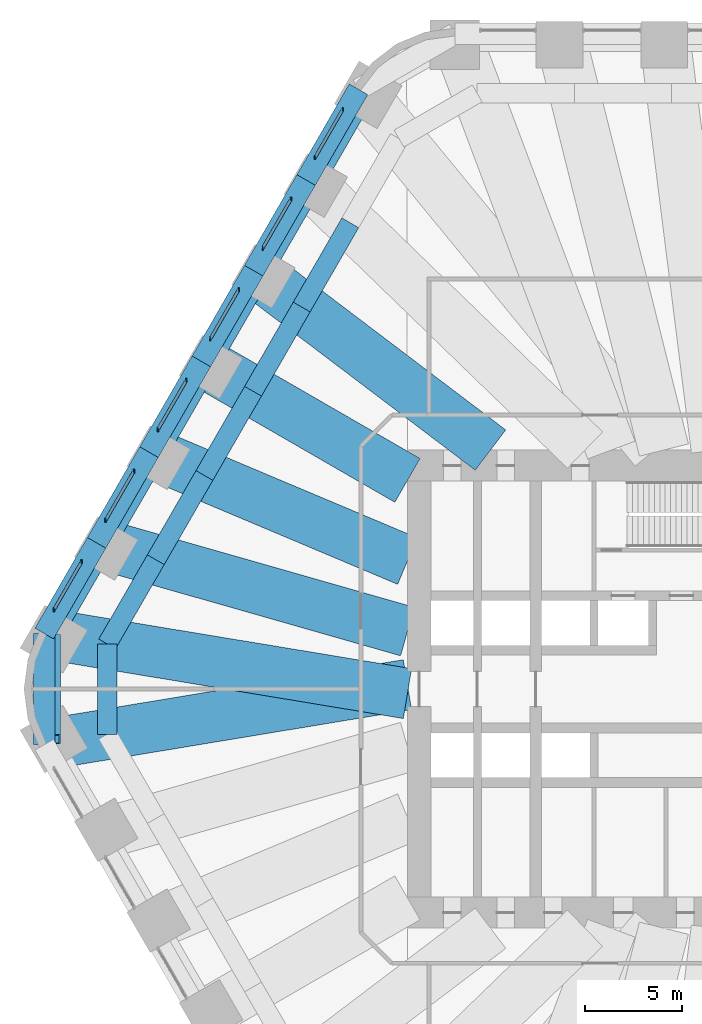
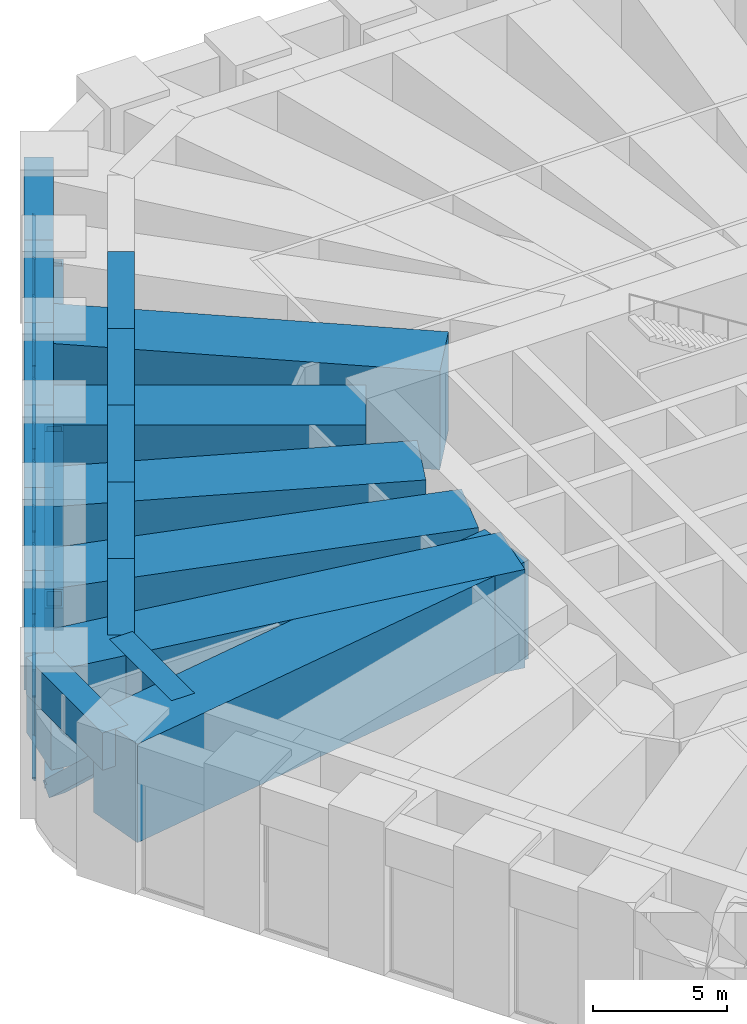
# One storey, part 6 of 17: 31 members, 19 beams, 6 elements without a shape of their own.
"""IFC4 building model written with IfcOpenShell, lengths in metres."""

from ifc_helpers import new_model, si_unit, direction, frame, origin, origin_2d, place, context, subcontext, project, spatial, rectangle, hollow_rectangle, extrude, material, material_profile, profile_set, type_object, element, aggregate, save


model = new_model("IFC4")

# Units and contexts
model_context = context("Model", 3, precision=1e-05, world=origin(), true_north=direction((0.0, 1.0)))
body_context = subcontext(model_context, "Body", "Model", "MODEL_VIEW")
ifc_project = project(units=[si_unit("LENGTHUNIT", "METRE"), si_unit("AREAUNIT", "SQUARE_METRE"), si_unit("VOLUMEUNIT", "CUBIC_METRE"), si_unit("PLANEANGLEUNIT", "RADIAN"), si_unit("MASSUNIT", "GRAM", prefix="KILO")], contexts=[model_context])

# Site, building, storey
site_placement = place(None, origin())
site = spatial("IfcSite", under=ifc_project, at=site_placement, CompositionType="ELEMENT")
building_placement = place(site_placement, origin())
building = spatial("IfcBuilding", under=site, at=building_placement, Name="Tarfa Lantern Tower", CompositionType="ELEMENT")
storey_placement = place(building_placement, frame((0.0, 0.0, 107.5)))
storey = spatial("IfcBuildingStorey", under=building, at=storey_placement, Name="L24", CompositionType="ELEMENT", Elevation=107.5)

# Members
ifc_material_1 = material(Name="Steel S460M", Category="steel")
ifc_material_profile_1 = material_profile(ifc_material_1, hollow_rectangle(XDim=0.699951171875, YDim=0.699951171875, WallThickness=0.080078125, at=origin_2d()), Name="BOX700x700x80")
ifc_profile_set_1 = profile_set([ifc_material_profile_1], Name="Steel S460M")
member_type_1 = type_object("IfcMemberType", Name="BT1 BOX700x700x80", PredefinedType="BRACE", material=ifc_profile_set_1)
for number, where, z_axis, x_axis, name in (
    (1, (-20.625732421875, 30.574951171875, 0.60009765625), (-0.373372204356, -0.64666874901, 0.665141132444), (0.866015065331, -0.500017906299, 0.0), "Belt truss diagonal 15"),
    (2, (-26.014404296875, 21.24169921875, 0.60009765625), (0.373364035688, 0.646688432601, 0.66512658043), (-0.866026392449, 0.499998287579, 0.0), "Belt truss diagonal 16"),
    (3, (-26.014404296875, 21.24169921875, 0.60009765625), (-0.373364035688, -0.646688432601, 0.66512658043), (0.866026392449, -0.499998287579, 0.0), "Belt truss diagonal 17"),
    (4, (-31.403076171875, 11.908447265625, 0.60009765625), (0.373372204356, 0.64666874901, 0.665141132444), (-0.866015065331, 0.500017906299, 0.0), "Belt truss diagonal 18"),
    (5, (-31.403076171875, 11.908447265625, 0.60009765625), (-0.373364035688, -0.646688432601, 0.66512658043), (0.866026392449, -0.499998287579, 0.0), "Belt truss diagonal 19"),
    (6, (-36.791748046875, 2.574951171875, 0.60009765625), (0.373364035688, 0.646688432601, 0.66512658043), (-0.866026392449, 0.499998287579, 0.0), "Belt truss diagonal 20"),
):
    element("IfcMember", number, at=place(storey_placement, frame(where, z_axis=z_axis, x_axis=x_axis)), inside=storey, type_object=member_type_1, Name=name, PredefinedType="BRACE", context=body_context, shape_type="SweptSolid", body=[
        extrude(hollow_rectangle(XDim=0.699951171875, YDim=0.699951171875, WallThickness=0.080078125, at=origin_2d()), origin(), (0.0, 0.0, 1.0), 7.21630859375),
    ])
member_1_placement = place(storey_placement, frame((-36.791748046875, 2.574951171875, 0.60009765625), z_axis=(0.0, -0.731534837931, 0.681804063418), x_axis=(1.0, 0.0, 0.0)))
element("IfcMember", 7, at=member_1_placement, inside=storey, type_object=member_type_1, Name="Belt truss diagonal 21", PredefinedType="BRACE", context=body_context, shape_type="SweptSolid", body=[
    extrude(hollow_rectangle(XDim=0.699951171875, YDim=0.699951171875, WallThickness=0.080078125, at=origin_2d()), origin(), (0.0, 0.0, 1.0), 7.039794921875),
])

# Curtain wall, members
ifc_material_2 = material(Name="Aluminium framed curtain wall", Category="aluminium")
curtain_wall_type = type_object("IfcCurtainWallType", Name="CW6 LOUVRED SCREEN WALL 5000", PredefinedType="USERDEFINED", material=ifc_material_2)
curtain_wall_1_placement = place(storey_placement, origin())
curtain_wall_1 = element("IfcCurtainWall", 8, at=curtain_wall_1_placement, inside=storey, type_object=curtain_wall_type, Name="CW6 NW L24", ObjectType="CURTAIN WALL", PredefinedType="USERDEFINED")
ifc_material_3 = material(Name="Aluminium mullion", Category="aluminium")
ifc_material_profile_2 = material_profile(ifc_material_3, rectangle(XDim=0.06494140625, YDim=0.199951171875, at=origin_2d()), Name="AL MULLION 65x200")
ifc_profile_set_2 = profile_set([ifc_material_profile_2], Name="Aluminium mullion")
member_type_2 = type_object("IfcMemberType", Name="CWM1 MULLION 65x200", PredefinedType="MULLION", material=ifc_profile_set_2)
member_2_placement = place(storey_placement, frame((-21.92919921875, 29.817626953125, 0.0), z_axis=(0.0, 0.0, 1.0), x_axis=(1.0, 0.0, 0.0)))
member_2 = element("IfcMember", 9, at=member_2_placement, type_object=member_type_2, Name="CW6 mullion 1", PredefinedType="MULLION", context=body_context, shape_type="SweptSolid", body=[
    extrude(rectangle(XDim=0.06494140625, YDim=0.199951171875, at=origin_2d()), origin(), (0.0, 0.0, 1.0), 5.0),
])
member_3_placement = place(storey_placement, frame((-23.353515625, 27.350830078125, 0.0), z_axis=(0.0, 0.0, 1.0), x_axis=(1.0, 0.0, 0.0)))
member_3 = element("IfcMember", 10, at=member_3_placement, type_object=member_type_2, Name="CW6 mullion 2", PredefinedType="MULLION", context=body_context, shape_type="SweptSolid", body=[
    extrude(rectangle(XDim=0.06494140625, YDim=0.199951171875, at=origin_2d()), origin(), (0.0, 0.0, 1.0), 5.0),
])

curtain_wall_2_placement = place(storey_placement, origin())
curtain_wall_2 = element("IfcCurtainWall", 11, at=curtain_wall_2_placement, inside=storey, type_object=curtain_wall_type, Name="CW6 NW L24", ObjectType="CURTAIN WALL", PredefinedType="USERDEFINED")
member_4_placement = place(storey_placement, frame((-24.5859375, 25.216064453125, 0.0), z_axis=(0.0, 0.0, 1.0), x_axis=(1.0, 0.0, 0.0)))
member_4 = element("IfcMember", 12, at=member_4_placement, type_object=member_type_2, Name="CW6 mullion 1", PredefinedType="MULLION", context=body_context, shape_type="SweptSolid", body=[
    extrude(rectangle(XDim=0.06494140625, YDim=0.199951171875, at=origin_2d()), origin(), (0.0, 0.0, 1.0), 5.0),
])
member_5_placement = place(storey_placement, frame((-26.047607421875, 22.68408203125, 0.0), z_axis=(0.0, 0.0, 1.0), x_axis=(1.0, 0.0, 0.0)))
member_5 = element("IfcMember", 13, at=member_5_placement, type_object=member_type_2, Name="CW6 mullion 2", PredefinedType="MULLION", context=body_context, shape_type="SweptSolid", body=[
    extrude(rectangle(XDim=0.06494140625, YDim=0.199951171875, at=origin_2d()), origin(), (0.0, 0.0, 1.0), 5.0),
])

curtain_wall_3_placement = place(storey_placement, origin())
curtain_wall_3 = element("IfcCurtainWall", 14, at=curtain_wall_3_placement, inside=storey, type_object=curtain_wall_type, Name="CW6 NW L24", ObjectType="CURTAIN WALL", PredefinedType="USERDEFINED")
member_6_placement = place(storey_placement, frame((-27.2802734375, 20.54931640625, 0.0), z_axis=(0.0, 0.0, 1.0), x_axis=(1.0, 0.0, 0.0)))
member_6 = element("IfcMember", 15, at=member_6_placement, type_object=member_type_2, Name="CW6 mullion 1", PredefinedType="MULLION", context=body_context, shape_type="SweptSolid", body=[
    extrude(rectangle(XDim=0.06494140625, YDim=0.199951171875, at=origin_2d()), origin(), (0.0, 0.0, 1.0), 5.0),
])
member_7_placement = place(storey_placement, frame((-28.741943359375, 18.017333984375, 0.0), z_axis=(0.0, 0.0, 1.0), x_axis=(1.0, 0.0, 0.0)))
member_7 = element("IfcMember", 16, at=member_7_placement, type_object=member_type_2, Name="CW6 mullion 2", PredefinedType="MULLION", context=body_context, shape_type="SweptSolid", body=[
    extrude(rectangle(XDim=0.06494140625, YDim=0.199951171875, at=origin_2d()), origin(), (0.0, 0.0, 1.0), 5.0),
])

curtain_wall_4_placement = place(storey_placement, origin())
curtain_wall_4 = element("IfcCurtainWall", 17, at=curtain_wall_4_placement, inside=storey, type_object=curtain_wall_type, Name="CW6 NW L24", ObjectType="CURTAIN WALL", PredefinedType="USERDEFINED")
member_8_placement = place(storey_placement, frame((-29.974609375, 15.882568359375, 0.0), z_axis=(0.0, 0.0, 1.0), x_axis=(1.0, 0.0, 0.0)))
member_8 = element("IfcMember", 18, at=member_8_placement, type_object=member_type_2, Name="CW6 mullion 1", PredefinedType="MULLION", context=body_context, shape_type="SweptSolid", body=[
    extrude(rectangle(XDim=0.06494140625, YDim=0.199951171875, at=origin_2d()), origin(), (0.0, 0.0, 1.0), 5.0),
])
member_9_placement = place(storey_placement, frame((-31.436279296875, 13.350830078125, 0.0), z_axis=(0.0, 0.0, 1.0), x_axis=(1.0, 0.0, 0.0)))
member_9 = element("IfcMember", 19, at=member_9_placement, type_object=member_type_2, Name="CW6 mullion 2", PredefinedType="MULLION", context=body_context, shape_type="SweptSolid", body=[
    extrude(rectangle(XDim=0.06494140625, YDim=0.199951171875, at=origin_2d()), origin(), (0.0, 0.0, 1.0), 5.0),
])

curtain_wall_5_placement = place(storey_placement, origin())
curtain_wall_5 = element("IfcCurtainWall", 20, at=curtain_wall_5_placement, inside=storey, type_object=curtain_wall_type, Name="CW6 NW L24", ObjectType="CURTAIN WALL", PredefinedType="USERDEFINED")
member_10_placement = place(storey_placement, frame((-32.668701171875, 11.216064453125, 0.0), z_axis=(0.0, 0.0, 1.0), x_axis=(1.0, 0.0, 0.0)))
member_10 = element("IfcMember", 21, at=member_10_placement, type_object=member_type_2, Name="CW6 mullion 1", PredefinedType="MULLION", context=body_context, shape_type="SweptSolid", body=[
    extrude(rectangle(XDim=0.06494140625, YDim=0.199951171875, at=origin_2d()), origin(), (0.0, 0.0, 1.0), 5.0),
])
member_11_placement = place(storey_placement, frame((-34.130615234375, 8.68408203125, 0.0), z_axis=(0.0, 0.0, 1.0), x_axis=(1.0, 0.0, 0.0)))
member_11 = element("IfcMember", 22, at=member_11_placement, type_object=member_type_2, Name="CW6 mullion 2", PredefinedType="MULLION", context=body_context, shape_type="SweptSolid", body=[
    extrude(rectangle(XDim=0.06494140625, YDim=0.199951171875, at=origin_2d()), origin(), (0.0, 0.0, 1.0), 5.0),
])

curtain_wall_6_placement = place(storey_placement, origin())
curtain_wall_6 = element("IfcCurtainWall", 23, at=curtain_wall_6_placement, inside=storey, type_object=curtain_wall_type, Name="CW6 NW L24", ObjectType="CURTAIN WALL", PredefinedType="USERDEFINED")
member_12_placement = place(storey_placement, frame((-35.363037109375, 6.54931640625, 0.0), z_axis=(0.0, 0.0, 1.0), x_axis=(1.0, 0.0, 0.0)))
member_12 = element("IfcMember", 24, at=member_12_placement, type_object=member_type_2, Name="CW6 mullion 1", PredefinedType="MULLION", context=body_context, shape_type="SweptSolid", body=[
    extrude(rectangle(XDim=0.06494140625, YDim=0.199951171875, at=origin_2d()), origin(), (0.0, 0.0, 1.0), 5.0),
])
member_13_placement = place(storey_placement, frame((-36.787353515625, 4.082275390625, 0.0), z_axis=(0.0, 0.0, 1.0), x_axis=(1.0, 0.0, 0.0)))
member_13 = element("IfcMember", 25, at=member_13_placement, type_object=member_type_2, Name="CW6 mullion 2", PredefinedType="MULLION", context=body_context, shape_type="SweptSolid", body=[
    extrude(rectangle(XDim=0.06494140625, YDim=0.199951171875, at=origin_2d()), origin(), (0.0, 0.0, 1.0), 5.0),
])

# Member
ifc_material_4 = material(Name="Aluminium transom", Category="aluminium")
ifc_material_profile_3 = material_profile(ifc_material_4, rectangle(XDim=0.14990234375, YDim=0.06494140625, at=origin_2d()), Name="AL TRANSOM 150x65")
ifc_profile_set_3 = profile_set([ifc_material_profile_3], Name="Aluminium transom")
member_type_3 = type_object("IfcMemberType", Name="CWT1 TRANSOM 150x65", PredefinedType="USERDEFINED", material=ifc_profile_set_3)
member_14_placement = place(storey_placement, frame((-21.9453125, 29.78955078125, 0.032470703125), z_axis=(-0.500016013541, -0.866016158165, 0.0), x_axis=(0.866016158165, -0.500016013541, 0.0)))
member_14 = element("IfcMember", 26, at=member_14_placement, type_object=member_type_3, Name="CW6 transom 1.1", ObjectType="TRANSOM", PredefinedType="USERDEFINED", context=body_context, shape_type="SweptSolid", body=[
    extrude(rectangle(XDim=0.14990234375, YDim=0.06494140625, at=origin_2d()), origin(), (0.0, 0.0, 1.0), 2.78369140625),
])

member_15_placement = place(storey_placement, frame((-21.9453125, 29.78955078125, 4.967529296875), z_axis=(-0.500016013541, -0.866016158165, 0.0), x_axis=(0.866016158165, -0.500016013541, 0.0)))
member_15 = element("IfcMember", 27, at=member_15_placement, type_object=member_type_3, Name="CW6 transom 1.2", ObjectType="TRANSOM", PredefinedType="USERDEFINED", context=body_context, shape_type="SweptSolid", body=[
    extrude(rectangle(XDim=0.14990234375, YDim=0.06494140625, at=origin_2d()), origin(), (0.0, 0.0, 1.0), 2.78369140625),
])

aggregate(curtain_wall_1, [member_2, member_3, member_14, member_15])

member_16_placement = place(storey_placement, frame((-24.60205078125, 25.187744140625, 0.032470703125), z_axis=(-0.500042804318, -0.866000689289, 0.0), x_axis=(0.866000689289, -0.500042804318, 0.0)))
member_16 = element("IfcMember", 28, at=member_16_placement, type_object=member_type_3, Name="CW6 transom 1.1", ObjectType="TRANSOM", PredefinedType="USERDEFINED", context=body_context, shape_type="SweptSolid", body=[
    extrude(rectangle(XDim=0.14990234375, YDim=0.06494140625, at=origin_2d()), origin(), (0.0, 0.0, 1.0), 2.858642578125),
])

member_17_placement = place(storey_placement, frame((-24.60205078125, 25.187744140625, 4.967529296875), z_axis=(-0.500042804318, -0.866000689289, 0.0), x_axis=(0.866000689289, -0.500042804318, 0.0)))
member_17 = element("IfcMember", 29, at=member_17_placement, type_object=member_type_3, Name="CW6 transom 1.2", ObjectType="TRANSOM", PredefinedType="USERDEFINED", context=body_context, shape_type="SweptSolid", body=[
    extrude(rectangle(XDim=0.14990234375, YDim=0.06494140625, at=origin_2d()), origin(), (0.0, 0.0, 1.0), 2.858642578125),
])

aggregate(curtain_wall_2, [member_4, member_5, member_16, member_17])

member_18_placement = place(storey_placement, frame((-27.29638671875, 20.521240234375, 0.032470703125), z_axis=(-0.500005823294, -0.866022041678, 0.0), x_axis=(0.866022041678, -0.500005823294, 0.0)))
member_18 = element("IfcMember", 30, at=member_18_placement, type_object=member_type_3, Name="CW6 transom 1.1", ObjectType="TRANSOM", PredefinedType="USERDEFINED", context=body_context, shape_type="SweptSolid", body=[
    extrude(rectangle(XDim=0.14990234375, YDim=0.06494140625, at=origin_2d()), origin(), (0.0, 0.0, 1.0), 2.85888671875),
])

member_19_placement = place(storey_placement, frame((-27.29638671875, 20.521240234375, 4.967529296875), z_axis=(-0.500005823294, -0.866022041678, 0.0), x_axis=(0.866022041678, -0.500005823294, 0.0)))
member_19 = element("IfcMember", 31, at=member_19_placement, type_object=member_type_3, Name="CW6 transom 1.2", ObjectType="TRANSOM", PredefinedType="USERDEFINED", context=body_context, shape_type="SweptSolid", body=[
    extrude(rectangle(XDim=0.14990234375, YDim=0.06494140625, at=origin_2d()), origin(), (0.0, 0.0, 1.0), 2.85888671875),
])

aggregate(curtain_wall_3, [member_6, member_7, member_18, member_19])

member_20_placement = place(storey_placement, frame((-29.99072265625, 15.8544921875, 0.032470703125), z_axis=(-0.500042804318, -0.866000689289, 0.0), x_axis=(0.866000689289, -0.500042804318, 0.0)))
member_20 = element("IfcMember", 32, at=member_20_placement, type_object=member_type_3, Name="CW6 transom 1.1", ObjectType="TRANSOM", PredefinedType="USERDEFINED", context=body_context, shape_type="SweptSolid", body=[
    extrude(rectangle(XDim=0.14990234375, YDim=0.06494140625, at=origin_2d()), origin(), (0.0, 0.0, 1.0), 2.858642578125),
])

member_21_placement = place(storey_placement, frame((-29.99072265625, 15.8544921875, 4.967529296875), z_axis=(-0.500042804318, -0.866000689289, 0.0), x_axis=(0.866000689289, -0.500042804318, 0.0)))
member_21 = element("IfcMember", 33, at=member_21_placement, type_object=member_type_3, Name="CW6 transom 1.2", ObjectType="TRANSOM", PredefinedType="USERDEFINED", context=body_context, shape_type="SweptSolid", body=[
    extrude(rectangle(XDim=0.14990234375, YDim=0.06494140625, at=origin_2d()), origin(), (0.0, 0.0, 1.0), 2.858642578125),
])

aggregate(curtain_wall_4, [member_8, member_9, member_20, member_21])

member_22_placement = place(storey_placement, frame((-32.68505859375, 11.187744140625, 0.032470703125), z_axis=(-0.499978750566, -0.866037671803, 0.0), x_axis=(0.866037671803, -0.499978750566, 0.0)))
member_22 = element("IfcMember", 34, at=member_22_placement, type_object=member_type_3, Name="CW6 transom 1.1", ObjectType="TRANSOM", PredefinedType="USERDEFINED", context=body_context, shape_type="SweptSolid", body=[
    extrude(rectangle(XDim=0.14990234375, YDim=0.06494140625, at=origin_2d()), origin(), (0.0, 0.0, 1.0), 2.8583984375),
])

member_23_placement = place(storey_placement, frame((-32.68505859375, 11.187744140625, 4.967529296875), z_axis=(-0.499978750566, -0.866037671803, 0.0), x_axis=(0.866037671803, -0.499978750566, 0.0)))
member_23 = element("IfcMember", 35, at=member_23_placement, type_object=member_type_3, Name="CW6 transom 1.2", ObjectType="TRANSOM", PredefinedType="USERDEFINED", context=body_context, shape_type="SweptSolid", body=[
    extrude(rectangle(XDim=0.14990234375, YDim=0.06494140625, at=origin_2d()), origin(), (0.0, 0.0, 1.0), 2.8583984375),
])

aggregate(curtain_wall_5, [member_10, member_11, member_22, member_23])

member_24_placement = place(storey_placement, frame((-35.37939453125, 6.521240234375, 0.032470703125), z_axis=(-0.500016013541, -0.866016158165, 0.0), x_axis=(0.866016158165, -0.500016013541, 0.0)))
member_24 = element("IfcMember", 36, at=member_24_placement, type_object=member_type_3, Name="CW6 transom 1.1", ObjectType="TRANSOM", PredefinedType="USERDEFINED", context=body_context, shape_type="SweptSolid", body=[
    extrude(rectangle(XDim=0.14990234375, YDim=0.06494140625, at=origin_2d()), origin(), (0.0, 0.0, 1.0), 2.78369140625),
])

member_25_placement = place(storey_placement, frame((-35.37939453125, 6.521240234375, 4.967529296875), z_axis=(-0.500016013541, -0.866016158165, 0.0), x_axis=(0.866016158165, -0.500016013541, 0.0)))
member_25 = element("IfcMember", 37, at=member_25_placement, type_object=member_type_3, Name="CW6 transom 1.2", ObjectType="TRANSOM", PredefinedType="USERDEFINED", context=body_context, shape_type="SweptSolid", body=[
    extrude(rectangle(XDim=0.14990234375, YDim=0.06494140625, at=origin_2d()), origin(), (0.0, 0.0, 1.0), 2.78369140625),
])

aggregate(curtain_wall_6, [member_12, member_13, member_24, member_25])

# Beams
ifc_material_5 = material(Name="Concrete C80/95", Category="concrete")
ifc_material_profile_4 = material_profile(ifc_material_5, rectangle(XDim=1.10009765625, YDim=1.699951171875, at=origin_2d()), Name="RC 1100x1700")
ifc_profile_set_4 = profile_set([ifc_material_profile_4], Name="Concrete C80/95")
beam_type_1 = type_object("IfcBeamType", Name="RB1 RC 1100x1700", PredefinedType="BEAM", material=ifc_profile_set_4)
for number, where, z_axis, x_axis, name in (
    (38, (-21.119384765625, 30.860107421875, 5.85009765625), (-0.499998287579, -0.866026392449, 0.0), (0.866026392449, -0.499998287579, 0.0), "Edge beam NW0"),
    (39, (-23.813720703125, 26.193359375, 5.85009765625), (-0.499998287579, -0.866026392449, 0.0), (0.866026392449, -0.499998287579, 0.0), "Edge beam NW1"),
):
    element("IfcBeam", number, at=place(storey_placement, frame(where, z_axis=z_axis, x_axis=x_axis)), inside=storey, type_object=beam_type_1, Name=name, PredefinedType="BEAM", context=body_context, shape_type="SweptSolid", body=[
        extrude(rectangle(XDim=1.10009765625, YDim=1.699951171875, at=origin_2d()), origin(), (0.0, 0.0, 1.0), 5.388671875),
    ])
beam_1_placement = place(storey_placement, frame((-26.508056640625, 21.526611328125, 5.85009765625), z_axis=(-0.500017906299, -0.866015065331, 0.0), x_axis=(0.866015065331, -0.500017906299, 0.0)))
element("IfcBeam", 40, at=beam_1_placement, inside=storey, type_object=beam_type_1, Name="Edge beam NW2", PredefinedType="BEAM", context=body_context, shape_type="SweptSolid", body=[
    extrude(rectangle(XDim=1.10009765625, YDim=1.699951171875, at=origin_2d()), origin(), (0.0, 0.0, 1.0), 5.388427734375),
])
for number, where, z_axis, x_axis, name in (
    (41, (-29.202392578125, 16.860107421875, 5.85009765625), (-0.499998287579, -0.866026392449, 0.0), (0.866026392449, -0.499998287579, 0.0), "Edge beam NW3"),
    (42, (-31.896728515625, 12.193359375, 5.85009765625), (-0.499998287579, -0.866026392449, 0.0), (0.866026392449, -0.499998287579, 0.0), "Edge beam NW4"),
):
    element("IfcBeam", number, at=place(storey_placement, frame(where, z_axis=z_axis, x_axis=x_axis)), inside=storey, type_object=beam_type_1, Name=name, PredefinedType="BEAM", context=body_context, shape_type="SweptSolid", body=[
        extrude(rectangle(XDim=1.10009765625, YDim=1.699951171875, at=origin_2d()), origin(), (0.0, 0.0, 1.0), 5.388671875),
    ])
beam_2_placement = place(storey_placement, frame((-34.591064453125, 7.526611328125, 5.85009765625), z_axis=(-0.500017906299, -0.866015065331, 0.0), x_axis=(0.866015065331, -0.500017906299, 0.0)))
element("IfcBeam", 43, at=beam_2_placement, inside=storey, type_object=beam_type_1, Name="Edge beam NW5", PredefinedType="BEAM", context=body_context, shape_type="SweptSolid", body=[
    extrude(rectangle(XDim=1.10009765625, YDim=1.699951171875, at=origin_2d()), origin(), (0.0, 0.0, 1.0), 5.388427734375),
])
beam_3_placement = place(storey_placement, frame((-37.285400390625, 2.860107421875, 5.85009765625), z_axis=(0.0, -1.0, 0.0), x_axis=(1.0, 0.0, 0.0)))
element("IfcBeam", 44, at=beam_3_placement, inside=storey, type_object=beam_type_1, Name="Edge beam NW6", PredefinedType="BEAM", context=body_context, shape_type="SweptSolid", body=[
    extrude(rectangle(XDim=1.10009765625, YDim=1.699951171875, at=origin_2d()), origin(), (0.0, 0.0, 1.0), 5.72021484375),
])
ifc_material_profile_5 = material_profile(ifc_material_5, rectangle(XDim=1.0, YDim=4.5, at=origin_2d()), Name="RC 1000x4500")
ifc_profile_set_5 = profile_set([ifc_material_profile_5], Name="Concrete C80/95")
beam_type_2 = type_object("IfcBeamType", Name="RG1 RC 1000x4500", PredefinedType="BEAM", material=ifc_profile_set_5)
beam_4_placement = place(storey_placement, frame((-21.5400390625, 23.99169921875, 4.449951171875), z_axis=(-0.49998573051, -0.866033642122, 0.0), x_axis=(0.866033642122, -0.49998573051, 0.0)))
element("IfcBeam", 45, at=beam_4_placement, inside=storey, type_object=beam_type_2, Name="Ring girder NW1", PredefinedType="BEAM", context=body_context, shape_type="SweptSolid", body=[
    extrude(rectangle(XDim=1.0, YDim=4.5, at=origin_2d()), origin(), (0.0, 0.0, 1.0), 5.003662109375),
])
beam_5_placement = place(storey_placement, frame((-24.041748046875, 19.658447265625, 4.449951171875), z_axis=(-0.500001197378, -0.866024712477, 0.0), x_axis=(0.866024712477, -0.500001197378, 0.0)))
element("IfcBeam", 46, at=beam_5_placement, inside=storey, type_object=beam_type_2, Name="Ring girder NW2", PredefinedType="BEAM", context=body_context, shape_type="SweptSolid", body=[
    extrude(rectangle(XDim=1.0, YDim=4.5, at=origin_2d()), origin(), (0.0, 0.0, 1.0), 5.00390625),
])
for number, where, z_axis, x_axis, name in (
    (47, (-26.543701171875, 15.324951171875, 4.449951171875), (-0.49998573051, -0.866033642122, 0.0), (0.866033642122, -0.49998573051, 0.0), "Ring girder NW3"),
    (48, (-29.04541015625, 10.99169921875, 4.449951171875), (-0.500022324899, -0.866012514114, 0.0), (0.866012514114, -0.500022324899, 0.0), "Ring girder NW4"),
):
    element("IfcBeam", number, at=place(storey_placement, frame(where, z_axis=z_axis, x_axis=x_axis)), inside=storey, type_object=beam_type_2, Name=name, PredefinedType="BEAM", context=body_context, shape_type="SweptSolid", body=[
        extrude(rectangle(XDim=1.0, YDim=4.5, at=origin_2d()), origin(), (0.0, 0.0, 1.0), 5.003662109375),
    ])
beam_6_placement = place(storey_placement, frame((-31.54736328125, 6.658447265625, 4.449951171875), z_axis=(-0.500001197378, -0.866024712477, 0.0), x_axis=(0.866024712477, -0.500001197378, 0.0)))
element("IfcBeam", 49, at=beam_6_placement, inside=storey, type_object=beam_type_2, Name="Ring girder NW5", PredefinedType="BEAM", context=body_context, shape_type="SweptSolid", body=[
    extrude(rectangle(XDim=1.0, YDim=4.5, at=origin_2d()), origin(), (0.0, 0.0, 1.0), 5.00390625),
])
beam_7_placement = place(storey_placement, frame((-34.04931640625, 2.324951171875, 4.449951171875), z_axis=(0.0, -1.0, 0.0), x_axis=(1.0, 0.0, 0.0)))
element("IfcBeam", 50, at=beam_7_placement, inside=storey, type_object=beam_type_2, Name="Ring girder NW6", PredefinedType="BEAM", context=body_context, shape_type="SweptSolid", body=[
    extrude(rectangle(XDim=1.0, YDim=4.5, at=origin_2d()), origin(), (0.0, 0.0, 1.0), 4.64990234375),
])
ifc_material_profile_6 = material_profile(ifc_material_5, rectangle(XDim=2.60009765625, YDim=4.5, at=origin_2d()), Name="RC 2600x4500")
ifc_profile_set_6 = profile_set([ifc_material_profile_6], Name="Concrete C80/95")
beam_type_3 = type_object("IfcBeamType", Name="TG1 RC 2600x4500", PredefinedType="BEAM", material=ifc_profile_set_6)
beam_8_placement = place(storey_placement, frame((-26.508056640625, 21.526611328125, 4.449951171875), z_axis=(0.797101237143, -0.603845690342, 0.0), x_axis=(0.603845690342, 0.797101237143, 0.0)))
element("IfcBeam", 51, at=beam_8_placement, inside=storey, type_object=beam_type_3, Name="Transfer girder NW2", PredefinedType="BEAM", context=body_context, shape_type="SweptSolid", body=[
    extrude(rectangle(XDim=2.60009765625, YDim=4.5, at=origin_2d()), origin(), (0.0, 0.0, 1.0), 15.27978515625),
])
beam_9_placement = place(storey_placement, frame((-29.202392578125, 16.860107421875, 4.449951171875), z_axis=(0.866021864563, -0.500006130062, 0.0), x_axis=(0.500006130062, 0.866021864563, 0.0)))
element("IfcBeam", 52, at=beam_9_placement, inside=storey, type_object=beam_type_3, Name="Transfer girder NW3", PredefinedType="BEAM", context=body_context, shape_type="SweptSolid", body=[
    extrude(rectangle(XDim=2.60009765625, YDim=4.5, at=origin_2d()), origin(), (0.0, 0.0, 1.0), 12.242431640625),
])
beam_10_placement = place(storey_placement, frame((-31.896728515625, 12.193359375, 4.449951171875), z_axis=(0.921494861776, -0.388390550503, 0.0), x_axis=(0.388390550503, 0.921494861776, 0.0)))
element("IfcBeam", 53, at=beam_10_placement, inside=storey, type_object=beam_type_3, Name="Transfer girder NW4", PredefinedType="BEAM", context=body_context, shape_type="SweptSolid", body=[
    extrude(rectangle(XDim=2.60009765625, YDim=4.5, at=origin_2d()), origin(), (0.0, 0.0, 1.0), 14.429443359375),
])
beam_11_placement = place(storey_placement, frame((-34.591064453125, 7.526611328125, 4.449951171875), z_axis=(0.96162858791, -0.274354622548, 0.0), x_axis=(0.274354622548, 0.96162858791, 0.0)))
element("IfcBeam", 54, at=beam_11_placement, inside=storey, type_object=beam_type_3, Name="Transfer girder NW5", PredefinedType="BEAM", context=body_context, shape_type="SweptSolid", body=[
    extrude(rectangle(XDim=2.60009765625, YDim=4.5, at=origin_2d()), origin(), (0.0, 0.0, 1.0), 16.629150390625),
])
for number, where, z_axis, x_axis, name in (
    (55, (-37.285400390625, 2.860107421875, 4.449951171875), (0.986605971157, -0.163121603959, 0.0), (0.163121603959, 0.986605971157, 0.0), "Transfer girder NW6"),
    (56, (-37.285400390625, -2.860107421875, 4.449951171875), (0.986605971157, 0.163121603959, 0.0), (-0.163121603959, 0.986605971157, 0.0), "Transfer girder SW0"),
):
    element("IfcBeam", number, at=place(storey_placement, frame(where, z_axis=z_axis, x_axis=x_axis)), inside=storey, type_object=beam_type_3, Name=name, PredefinedType="BEAM", context=body_context, shape_type="SweptSolid", body=[
        extrude(rectangle(XDim=2.60009765625, YDim=4.5, at=origin_2d()), origin(), (0.0, 0.0, 1.0), 18.93896484375),
    ])

save(model, "model.ifc")
